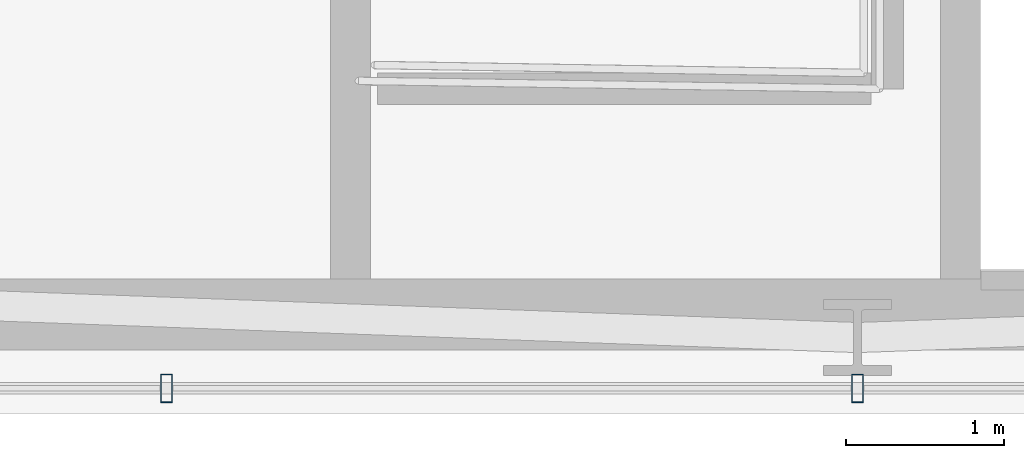
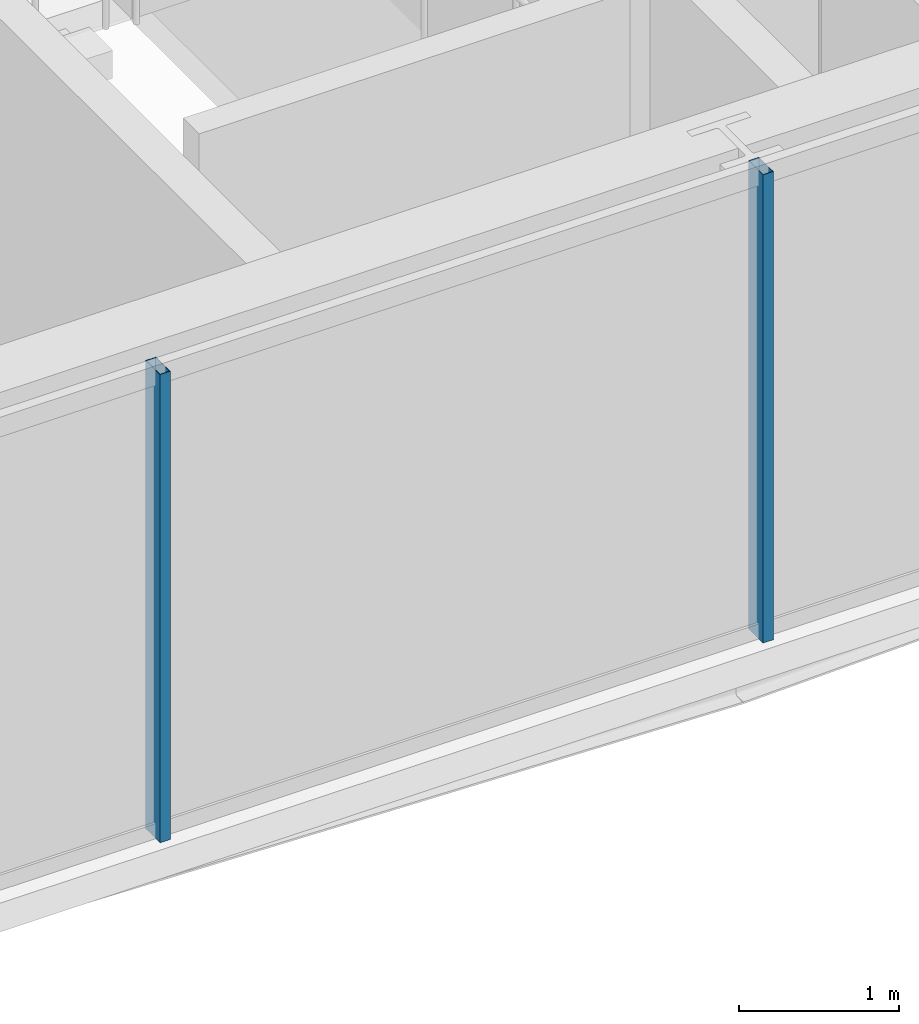
# One storey, part 7 of 32: 2 members, 1 element without a shape of its own.
"""IFC4 building model written with IfcOpenShell, lengths in metres."""

from ifc_helpers import new_model, si_unit, direction, frame, origin, origin_2d, place, context, subcontext, project, spatial, hollow_rectangle, extrude, material, layer, layer_set, material_profile, profile_set, type_object, element, aggregate, save


model = new_model("IFC4")

# Units and contexts
model_context = context("Model", 3, precision=1e-05, world=origin(), true_north=direction((0.0, 1.0)))
body_context = subcontext(model_context, "Body", "Model", "MODEL_VIEW")
ifc_project = project(units=[si_unit("LENGTHUNIT", "METRE"), si_unit("AREAUNIT", "SQUARE_METRE"), si_unit("VOLUMEUNIT", "CUBIC_METRE"), si_unit("PLANEANGLEUNIT", "RADIAN"), si_unit("MASSUNIT", "GRAM", prefix="KILO")], contexts=[model_context])

# Site, building, storey
site_placement = place(None, origin())
site = spatial("IfcSite", under=ifc_project, at=site_placement, CompositionType="ELEMENT")
building_placement = place(site_placement, origin())
building = spatial("IfcBuilding", under=site, at=building_placement, Name="Ndaravel Arena Tower", CompositionType="ELEMENT")
storey_placement = place(building_placement, frame((0.0, 0.0, 130.800048828125)))
storey = spatial("IfcBuildingStorey", under=building, at=storey_placement, Name="L30", CompositionType="ELEMENT", Elevation=130.800048828125)

# Curtain wall, members
ifc_material_1 = material(Name="Aluminium", Category="aluminium")
ifc_layer = layer(ifc_material_1, 0.179931640625)
ifc_layer_set = layer_set([ifc_layer], Name="Aluminium")
curtain_wall_type = type_object("IfcCurtainWallType", Name="CW-SYS-03", PredefinedType="NOTDEFINED", material=ifc_layer_set)
curtain_wall_placement = place(storey_placement, origin())
curtain_wall = element("IfcCurtainWall", 1, at=curtain_wall_placement, inside=storey, type_object=curtain_wall_type, Name="L30 Faceted Crystal Curtain Wall CW-L30-E01", PredefinedType="NOTDEFINED")
ifc_material_2 = material(Name="Aluminium", Category="aluminium")
ifc_material_profile = material_profile(ifc_material_2, hollow_rectangle(XDim=0.074951171875, YDim=0.179931640625, WallThickness=0.00390625, at=origin_2d()), Name="CW MULLION 75x180x4")
ifc_profile_set = profile_set([ifc_material_profile], Name="Aluminium")
member_type = type_object("IfcMemberType", Name="MEM-CW-MUL180", PredefinedType="MULLION", material=ifc_profile_set)
member_1_placement = place(storey_placement, frame((37.638916015625, 5.159912109375, 0.0), z_axis=(0.0, 0.0, 1.0), x_axis=(1.0, 0.0, 0.0)))
member_1 = element("IfcMember", 2, at=member_1_placement, type_object=member_type, Name="CW-L30-E01 Mullion 03", PredefinedType="MULLION", context=body_context, shape_type="SweptSolid", body=[
    extrude(hollow_rectangle(XDim=0.074951171875, YDim=0.179931640625, WallThickness=0.00390625, at=origin_2d()), origin(), (0.0, 0.0, 1.0), 3.579833984375),
])
member_2_placement = place(storey_placement, frame((42.0, 5.159912109375, 0.0), z_axis=(0.0, 0.0, 1.0), x_axis=(1.0, 0.0, 0.0)))
member_2 = element("IfcMember", 3, at=member_2_placement, type_object=member_type, Name="CW-L30-E01 Mullion 04", PredefinedType="MULLION", context=body_context, shape_type="SweptSolid", body=[
    extrude(hollow_rectangle(XDim=0.074951171875, YDim=0.179931640625, WallThickness=0.00390625, at=origin_2d()), origin(), (0.0, 0.0, 1.0), 3.579833984375),
])
aggregate(curtain_wall, [member_1, member_2])

save(model, "model.ifc")
